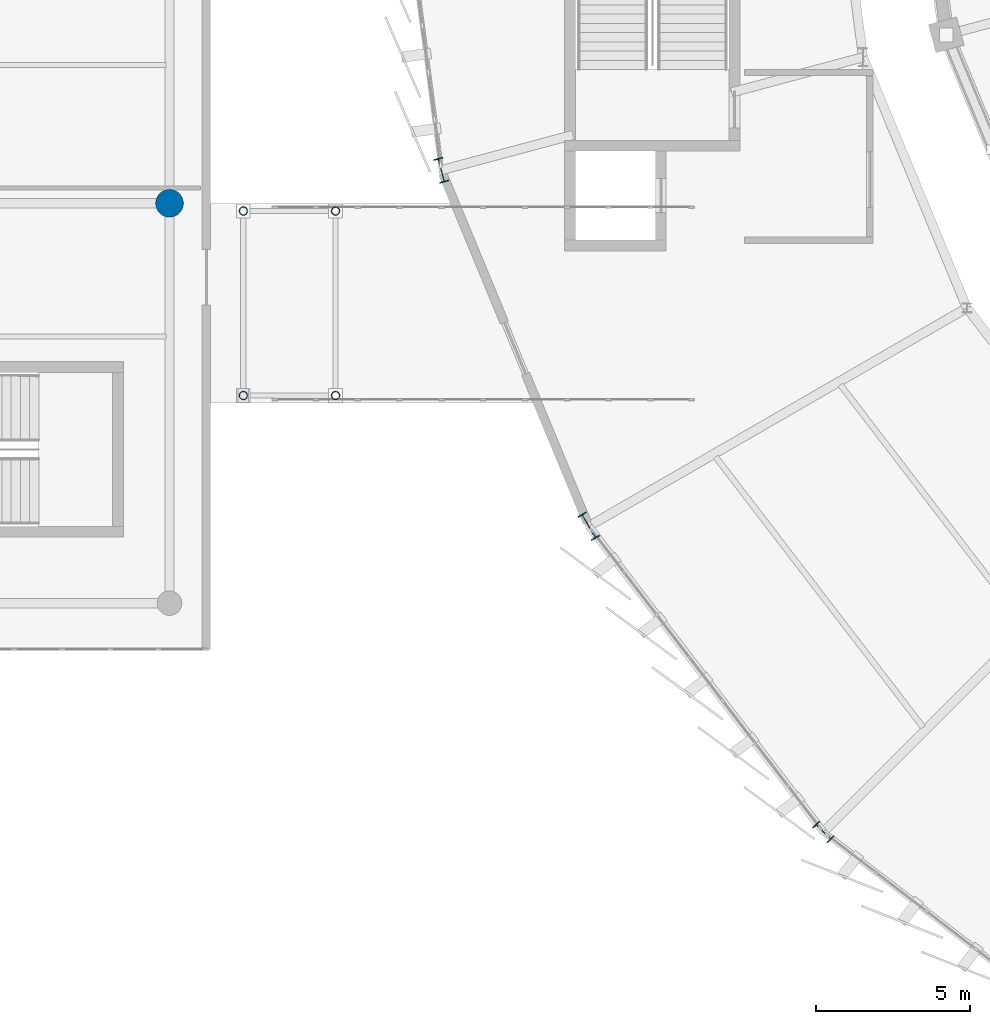
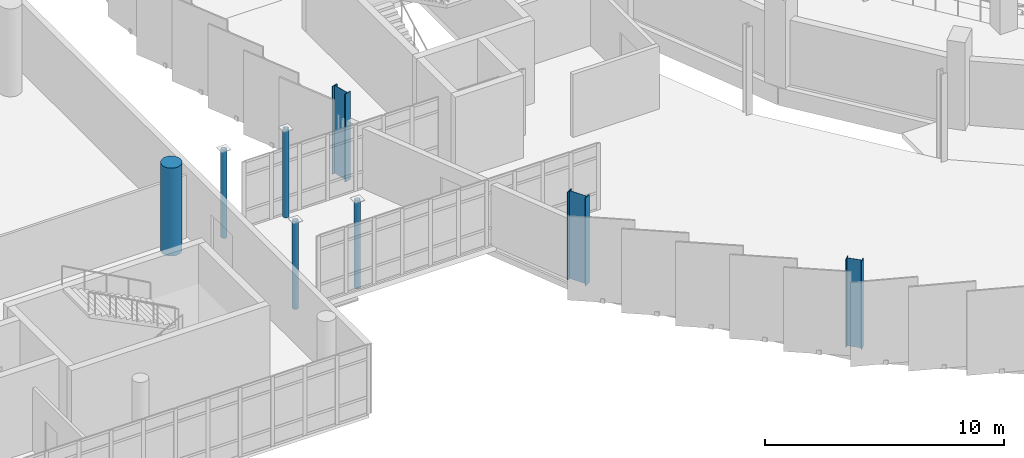
# One storey, part 2 of 134: 8 columns.
"""IFC4 building model written with IfcOpenShell, lengths in metres."""

from ifc_helpers import new_model, si_unit, direction, frame, origin, origin_2d, place, context, subcontext, project, spatial, circle, hollow_circle, i_section, extrude, material, material_profile, profile_set, type_object, element, save


model = new_model("IFC4")

# Units and contexts
model_context = context("Model", 3, precision=1e-05, world=origin(), true_north=direction((0.0, 1.0)))
body_context = subcontext(model_context, "Body", "Model", "MODEL_VIEW")
ifc_project = project(units=[si_unit("LENGTHUNIT", "METRE"), si_unit("AREAUNIT", "SQUARE_METRE"), si_unit("VOLUMEUNIT", "CUBIC_METRE"), si_unit("PLANEANGLEUNIT", "RADIAN"), si_unit("MASSUNIT", "GRAM", prefix="KILO")], contexts=[model_context])

# Site, building, storey
site_placement = place(None, origin())
site = spatial("IfcSite", under=ifc_project, at=site_placement, CompositionType="ELEMENT")
building_placement = place(site_placement, origin())
building = spatial("IfcBuilding", under=site, at=building_placement, Name="Sohan Crest Arena", CompositionType="ELEMENT")
storey_placement = place(building_placement, frame((0.0, 0.0, 4.5)))
storey = spatial("IfcBuildingStorey", under=building, at=storey_placement, Name="L01", CompositionType="ELEMENT", Elevation=4.5)

# Columns
ifc_material_1 = material(Name="Concrete C40/50", Category="concrete")
ifc_material_profile_1 = material_profile(ifc_material_1, circle(Radius=0.449951171875, at=origin_2d()), Name="RC D900")
ifc_profile_set_1 = profile_set([ifc_material_profile_1], Name="Concrete C40/50")
column_type_1 = type_object("IfcColumnType", Name="STR-COL-C15", PredefinedType="COLUMN", material=ifc_profile_set_1)
column_1_placement = place(storey_placement, frame((42.800048828125, 64.5, 0.0), z_axis=(0.0, 0.0, 1.0), x_axis=(1.0, 0.0, 0.0)))
element("IfcColumn", 1, at=column_1_placement, inside=storey, type_object=column_type_1, Name="Structural column COL-V3C-42-L01", PredefinedType="COLUMN", context=body_context, shape_type="SweptSolid", body=[
    extrude(circle(Radius=0.449951171875, at=origin_2d()), origin(), (0.0, 0.0, 1.0), 4.5),
])
ifc_material_2 = material(Name="Steel S355", Category="steel")
ifc_material_profile_2 = material_profile(ifc_material_2, i_section(OverallWidth=0.300048828125, OverallDepth=0.699951171875, WebThickness=0.01708984375, FlangeThickness=0.031982421875, at=origin_2d()), Name="HEB 700")
ifc_profile_set_2 = profile_set([ifc_material_profile_2], Name="Steel S355")
column_type_2 = type_object("IfcColumnType", Name="STR-COL-C21", PredefinedType="COLUMN", material=ifc_profile_set_2)
column_2_placement = place(storey_placement, frame((64.05908203125, 44.05908203125, 0.0), z_axis=(0.0, 0.0, 1.0), x_axis=(0.707106781187, 0.707106781187, 0.0)))
element("IfcColumn", 2, at=column_2_placement, inside=storey, type_object=column_type_2, Name="Structural column COL-V2O-10-L01", PredefinedType="COLUMN", context=body_context, shape_type="SweptSolid", body=[
    extrude(i_section(OverallWidth=0.300048828125, OverallDepth=0.699951171875, WebThickness=0.01708984375, FlangeThickness=0.031982421875, at=origin_2d()), origin(), (0.0, 0.0, 1.0), 4.5),
])
ifc_material_profile_3 = material_profile(ifc_material_2, i_section(OverallWidth=0.300048828125, OverallDepth=0.800048828125, WebThickness=0.017578125, FlangeThickness=0.032958984375, at=origin_2d()), Name="HEB 800")
ifc_profile_set_3 = profile_set([ifc_material_profile_3], Name="Steel S355")
column_type_3 = type_object("IfcColumnType", Name="STR-COL-C22", PredefinedType="COLUMN", material=ifc_profile_set_3)
column_3_placement = place(storey_placement, frame((51.635986328125, 65.576904296875, 0.0), z_axis=(0.0, 0.0, 1.0), x_axis=(0.965925826289, 0.258819045103, 0.0)))
element("IfcColumn", 3, at=column_3_placement, inside=storey, type_object=column_type_3, Name="Structural column COL-V2O-08-L01", PredefinedType="COLUMN", context=body_context, shape_type="SweptSolid", body=[
    extrude(i_section(OverallWidth=0.300048828125, OverallDepth=0.800048828125, WebThickness=0.017578125, FlangeThickness=0.032958984375, at=origin_2d()), origin(), (0.0, 0.0, 1.0), 4.5),
])
ifc_material_profile_4 = material_profile(ifc_material_2, i_section(OverallWidth=0.300048828125, OverallDepth=0.89990234375, WebThickness=0.0185546875, FlangeThickness=0.034912109375, at=origin_2d()), Name="HEB 900")
ifc_profile_set_4 = profile_set([ifc_material_profile_4], Name="Steel S355")
column_type_4 = type_object("IfcColumnType", Name="STR-COL-C23", PredefinedType="COLUMN", material=ifc_profile_set_4)
column_4_placement = place(storey_placement, frame((56.430908203125, 54.0, 0.0), z_axis=(0.0, 0.0, 1.0), x_axis=(0.866025403784, 0.5, 0.0)))
element("IfcColumn", 4, at=column_4_placement, inside=storey, type_object=column_type_4, Name="Structural column COL-V2O-09-L01", PredefinedType="COLUMN", context=body_context, shape_type="SweptSolid", body=[
    extrude(i_section(OverallWidth=0.300048828125, OverallDepth=0.89990234375, WebThickness=0.0185546875, FlangeThickness=0.034912109375, at=origin_2d()), origin(), (0.0, 0.0, 1.0), 4.5),
])
ifc_material_profile_5 = material_profile(ifc_material_2, hollow_circle(Radius=0.136474609375, WallThickness=0.012451171875, at=origin_2d()), Name="CHS 273x12.5")
ifc_profile_set_5 = profile_set([ifc_material_profile_5], Name="Steel S355")
column_type_5 = type_object("IfcColumnType", Name="STR-COL-C25", PredefinedType="COLUMN", material=ifc_profile_set_5)
for number, where, z_axis, x_axis, name in (
    (5, (45.199951171875, 58.25, 0.0), (0.0, 0.0, 1.0), (1.0, 0.0, 0.0), "Structural column COL-BC-BR-W1-1-L01"),
    (6, (48.199951171875, 58.25, 0.0), (0.0, 0.0, 1.0), (1.0, 0.0, 0.0), "Structural column COL-BC-BR-W1-2-L01"),
    (7, (45.199951171875, 64.25, 0.0), (0.0, 0.0, 1.0), (1.0, 0.0, 0.0), "Structural column COL-BC-BR-W1-3-L01"),
    (8, (48.199951171875, 64.25, 0.0), (0.0, 0.0, 1.0), (1.0, 0.0, 0.0), "Structural column COL-BC-BR-W1-4-L01"),
):
    element("IfcColumn", number, at=place(storey_placement, frame(where, z_axis=z_axis, x_axis=x_axis)), inside=storey, type_object=column_type_5, Name=name, PredefinedType="COLUMN", context=body_context, shape_type="SweptSolid", body=[
        extrude(hollow_circle(Radius=0.136474609375, WallThickness=0.012451171875, at=origin_2d()), origin(), (0.0, 0.0, 1.0), 4.5),
    ])

save(model, "model.ifc")
